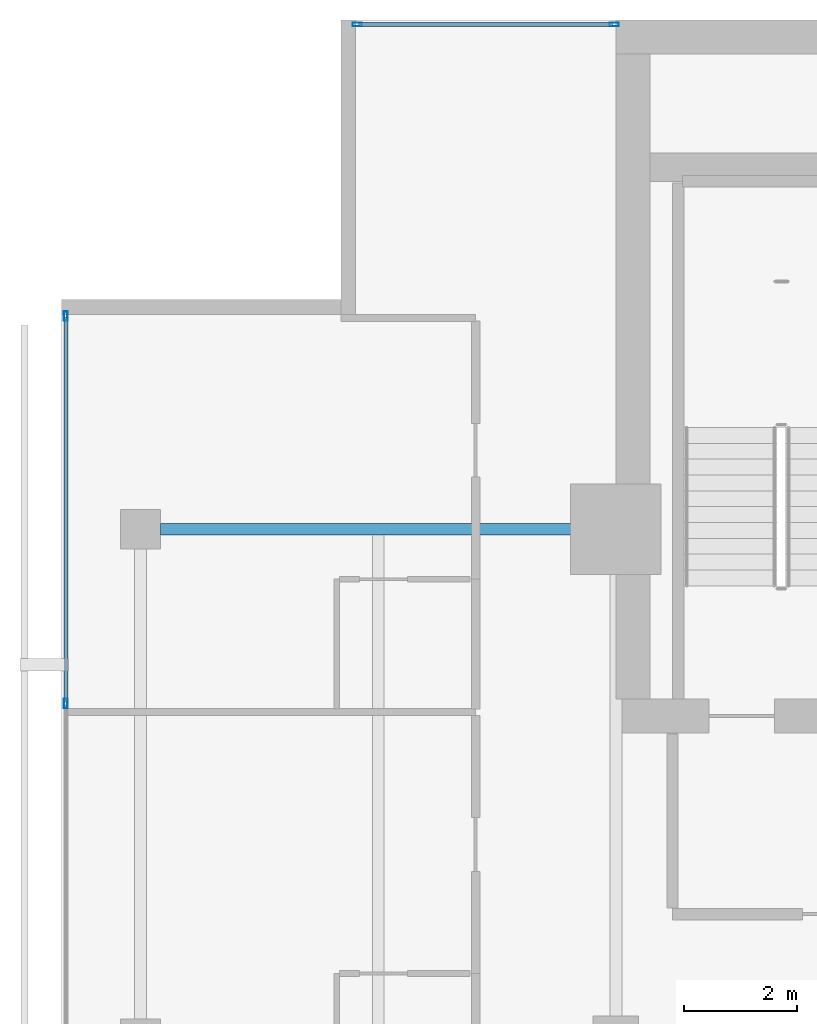
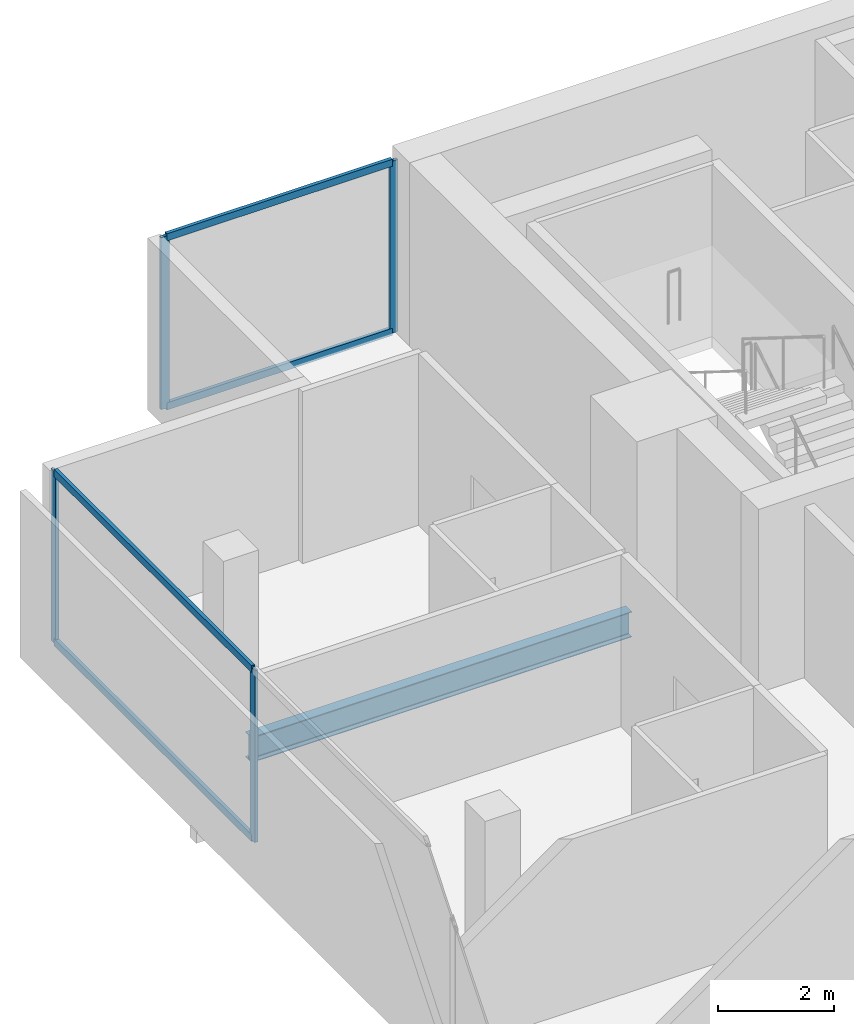
# One storey, part 16 of 25: 8 members, 1 beam, 2 elements without a shape of their own.
"""IFC4 building model written with IfcOpenShell, lengths in metres."""

from ifc_helpers import new_model, si_unit, direction, frame, origin, origin_2d, place, context, subcontext, project, spatial, hollow_rectangle, i_section, extrude, material, layer, layer_set, material_profile, profile_set, type_object, element, aggregate, save


model = new_model("IFC4")

# Units and contexts
model_context = context("Model", 3, precision=1e-05, world=origin(), true_north=direction((0.0, 1.0)))
body_context = subcontext(model_context, "Body", "Model", "MODEL_VIEW")
ifc_project = project(units=[si_unit("LENGTHUNIT", "METRE"), si_unit("AREAUNIT", "SQUARE_METRE"), si_unit("VOLUMEUNIT", "CUBIC_METRE"), si_unit("PLANEANGLEUNIT", "RADIAN"), si_unit("MASSUNIT", "GRAM", prefix="KILO")], contexts=[model_context])

# Site, building, storey
site_placement = place(None, origin())
site = spatial("IfcSite", under=ifc_project, at=site_placement, CompositionType="ELEMENT")
building_placement = place(site_placement, origin())
building = spatial("IfcBuilding", under=site, at=building_placement, Name="Maruvema Waterfront Hotel and Observation Tower", CompositionType="ELEMENT")
storey_placement = place(building_placement, frame((0.0, 0.0, 239.39990234375)))
storey = spatial("IfcBuildingStorey", under=building, at=storey_placement, Name="L58", CompositionType="ELEMENT", Elevation=239.39990234375)

# Curtain wall, members
ifc_material_1 = material(Name="Anodised bronze aluminium and solar-control low-E IGU", Category="aluminium")
ifc_layer = layer(ifc_material_1, 0.159912109375, Name="Zone 3 Champagne Inner Thermal Curtain Wall System CW-04")
ifc_layer_set = layer_set([ifc_layer], Name="Anodised bronze aluminium and solar-control low-E IGU")
curtain_wall_type = type_object("IfcCurtainWallType", Name="Zone 3 Champagne Inner Thermal Curtain Wall System CW-04", PredefinedType="USERDEFINED", material=ifc_layer_set)
curtain_wall_1_placement = place(storey_placement, origin())
curtain_wall_1 = element("IfcCurtainWall", 1, at=curtain_wall_1_placement, inside=storey, type_object=curtain_wall_type, Name="L58 Curtain Wall CW-L58-W", ObjectType="UNITISED CURTAIN WALL", PredefinedType="USERDEFINED")
ifc_material_2 = material(Name="Anodised architectural bronze aluminium", Category="aluminium")
ifc_material_profile_1 = material_profile(ifc_material_2, hollow_rectangle(XDim=0.070068359375, YDim=0.14990234375, WallThickness=0.00390625, at=origin_2d()), Name="ALU-T70x150")
ifc_profile_set_1 = profile_set([ifc_material_profile_1], Name="Anodised architectural bronze aluminium")
member_type_1 = type_object("IfcMemberType", Name="Curtain Wall Horizontal Transom ALU-T70x150", PredefinedType="USERDEFINED", material=ifc_profile_set_1)
member_1_placement = place(storey_placement, frame((15.47998046875, 48.739990234375, 0.030029296875), z_axis=(0.0, -1.0, 0.0), x_axis=(1.0, 0.0, 0.0)))
member_1 = element("IfcMember", 2, at=member_1_placement, type_object=member_type_1, Name="CW-04 transom 1.1", ObjectType="TRANSOM", PredefinedType="USERDEFINED", context=body_context, shape_type="SweptSolid", body=[
    extrude(hollow_rectangle(XDim=0.070068359375, YDim=0.14990234375, WallThickness=0.00390625, at=origin_2d()), origin(), (0.0, 0.0, 1.0), 6.7900390625),
])
member_2_placement = place(storey_placement, frame((15.47998046875, 48.739990234375, 3.580078125), z_axis=(0.0, -1.0, 0.0), x_axis=(1.0, 0.0, 0.0)))
member_2 = element("IfcMember", 3, at=member_2_placement, type_object=member_type_1, Name="CW-04 transom 1.2", ObjectType="TRANSOM", PredefinedType="USERDEFINED", context=body_context, shape_type="SweptSolid", body=[
    extrude(hollow_rectangle(XDim=0.070068359375, YDim=0.14990234375, WallThickness=0.00390625, at=origin_2d()), origin(), (0.0, 0.0, 1.0), 6.7900390625),
])

curtain_wall_2_placement = place(storey_placement, origin())
curtain_wall_2 = element("IfcCurtainWall", 4, at=curtain_wall_2_placement, inside=storey, type_object=curtain_wall_type, Name="L58 Curtain Wall CW-L58-NW", ObjectType="UNITISED CURTAIN WALL", PredefinedType="USERDEFINED")
member_3_placement = place(storey_placement, frame((25.139892578125, 53.919921875, 0.030029296875), z_axis=(-1.0, 0.0, 0.0), x_axis=(0.0, -1.0, 0.0)))
member_3 = element("IfcMember", 5, at=member_3_placement, type_object=member_type_1, Name="CW-04 transom 1.1", ObjectType="TRANSOM", PredefinedType="USERDEFINED", context=body_context, shape_type="SweptSolid", body=[
    extrude(hollow_rectangle(XDim=0.070068359375, YDim=0.14990234375, WallThickness=0.00390625, at=origin_2d()), origin(), (0.0, 0.0, 1.0), 4.47998046875),
])
member_4_placement = place(storey_placement, frame((25.139892578125, 53.919921875, 3.580078125), z_axis=(-1.0, 0.0, 0.0), x_axis=(0.0, -1.0, 0.0)))
member_4 = element("IfcMember", 6, at=member_4_placement, type_object=member_type_1, Name="CW-04 transom 1.2", ObjectType="TRANSOM", PredefinedType="USERDEFINED", context=body_context, shape_type="SweptSolid", body=[
    extrude(hollow_rectangle(XDim=0.070068359375, YDim=0.14990234375, WallThickness=0.00390625, at=origin_2d()), origin(), (0.0, 0.0, 1.0), 4.47998046875),
])

# Member
ifc_material_3 = material(Name="Anodised architectural bronze aluminium", Category="aluminium")
ifc_material_profile_2 = material_profile(ifc_material_3, hollow_rectangle(XDim=0.06494140625, YDim=0.1650390625, WallThickness=0.00390625, at=origin_2d()), Name="ALU-M65x165")
ifc_profile_set_2 = profile_set([ifc_material_profile_2], Name="Anodised architectural bronze aluminium")
member_type_2 = type_object("IfcMemberType", Name="Curtain Wall Primary Mullion ALU-M65x165", PredefinedType="MULLION", material=ifc_profile_set_2)
member_5_placement = place(storey_placement, frame((15.47998046875, 48.77001953125, 0.0), z_axis=(0.0, 0.0, 1.0), x_axis=(1.0, 0.0, 0.0)))
member_5 = element("IfcMember", 7, at=member_5_placement, type_object=member_type_2, Name="CW-04 mullion 1", PredefinedType="MULLION", context=body_context, shape_type="SweptSolid", body=[
    extrude(hollow_rectangle(XDim=0.06494140625, YDim=0.1650390625, WallThickness=0.00390625, at=origin_2d()), origin(), (0.0, 0.0, 1.0), 3.610107421875),
])

member_6_placement = place(storey_placement, frame((15.47998046875, 41.919921875, 0.0), z_axis=(0.0, 0.0, 1.0), x_axis=(1.0, 0.0, 0.0)))
member_6 = element("IfcMember", 8, at=member_6_placement, type_object=member_type_2, Name="CW-04 mullion 2", PredefinedType="MULLION", context=body_context, shape_type="SweptSolid", body=[
    extrude(hollow_rectangle(XDim=0.06494140625, YDim=0.1650390625, WallThickness=0.00390625, at=origin_2d()), origin(), (0.0, 0.0, 1.0), 3.610107421875),
])

aggregate(curtain_wall_1, [member_5, member_6, member_1, member_2])

member_7_placement = place(storey_placement, frame((25.169921875, 53.919921875, 0.0), z_axis=(0.0, 0.0, 1.0), x_axis=(0.0, -1.0, 0.0)))
member_7 = element("IfcMember", 9, at=member_7_placement, type_object=member_type_2, Name="CW-04 mullion 1", PredefinedType="MULLION", context=body_context, shape_type="SweptSolid", body=[
    extrude(hollow_rectangle(XDim=0.06494140625, YDim=0.1650390625, WallThickness=0.00390625, at=origin_2d()), origin(), (0.0, 0.0, 1.0), 3.610107421875),
])

member_8_placement = place(storey_placement, frame((20.6298828125, 53.919921875, 0.0), z_axis=(0.0, 0.0, 1.0), x_axis=(0.0, -1.0, 0.0)))
member_8 = element("IfcMember", 10, at=member_8_placement, type_object=member_type_2, Name="CW-04 mullion 2", PredefinedType="MULLION", context=body_context, shape_type="SweptSolid", body=[
    extrude(hollow_rectangle(XDim=0.06494140625, YDim=0.1650390625, WallThickness=0.00390625, at=origin_2d()), origin(), (0.0, 0.0, 1.0), 3.610107421875),
])

aggregate(curtain_wall_2, [member_7, member_8, member_3, member_4])

# Beam
ifc_material_4 = material(Name="Steel ASTM A572 Grade 50", Category="steel")
ifc_material_profile_3 = material_profile(ifc_material_4, i_section(OverallWidth=0.208984375, OverallDepth=0.532958984375, WebThickness=0.01025390625, FlangeThickness=0.015625, FilletRadius=0.014892578125, at=origin_2d()), Name="W530x92.0")
ifc_profile_set_3 = profile_set([ifc_material_profile_3], Name="Steel ASTM A572 Grade 50")
beam_type = type_object("IfcBeamType", Name="Primary Floor Girder W530x92.0", PredefinedType="BEAM", material=ifc_profile_set_3)
beam_placement = place(storey_placement, frame((17.14990234375, 45.0, -0.50634765625), z_axis=(1.0, 0.0, 0.0), x_axis=(0.0, 1.0, 0.0)))
element("IfcBeam", 11, at=beam_placement, inside=storey, type_object=beam_type, Name="L58 Floor Girder EW-17", PredefinedType="BEAM", context=body_context, shape_type="SweptSolid", body=[
    extrude(i_section(OverallWidth=0.208984375, OverallDepth=0.532958984375, WebThickness=0.01025390625, FlangeThickness=0.015625, FilletRadius=0.014892578125, at=origin_2d()), origin(), (0.0, 0.0, 1.0), 7.550048828125),
])

save(model, "model.ifc")
